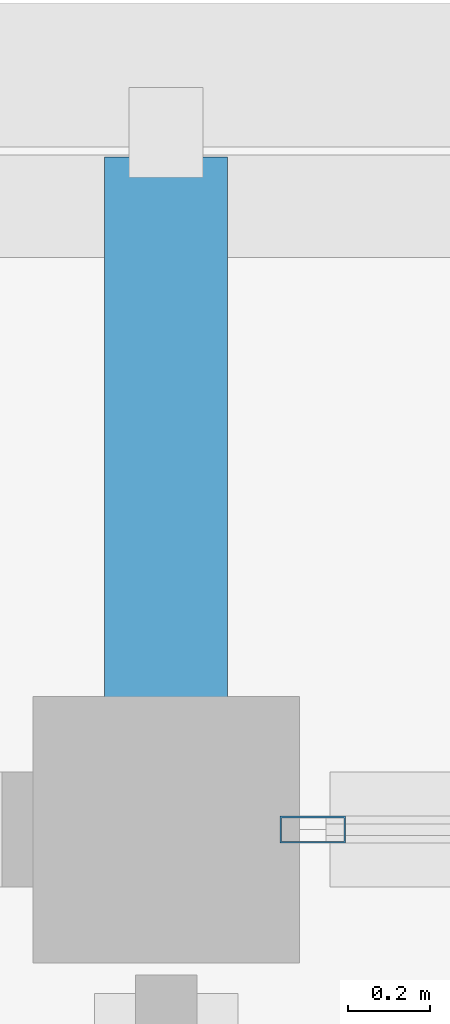
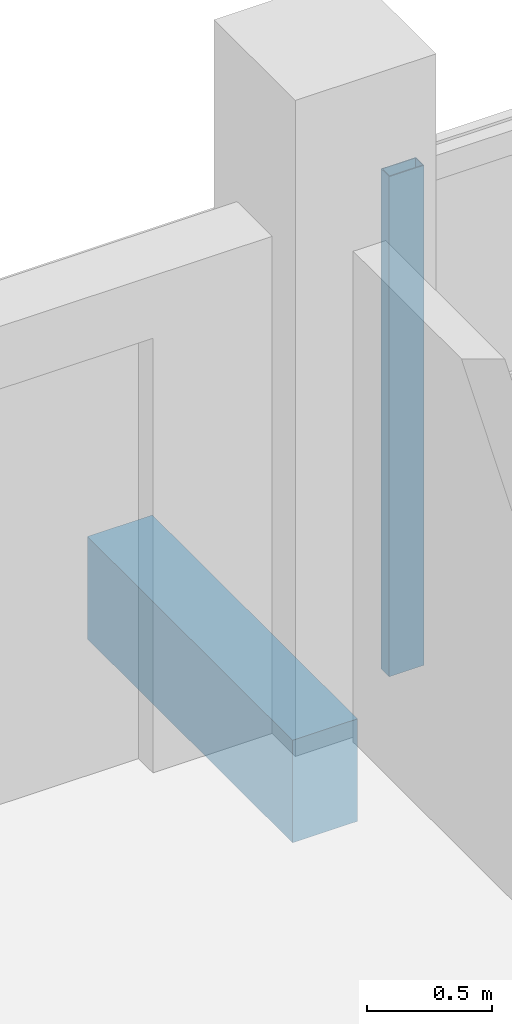
# One storey, part 37 of 157: 1 beam, 1 member, 1 element without a shape of its own.
"""IFC4 building model written with IfcOpenShell, lengths in metres."""

import ifcopenshell
import ifcopenshell.guid

model = None  # the IFC model being written
_history = None  # IfcOwnerHistory: only IFC2X3 demands one
_inside = {}  # id of a spatial element -> (the spatial element, [elements in it])
_under = {}  # id of a project, library or spatial element -> (it, [spatial elements below it])
_declared = {}  # id of a project -> (the project, [libraries it declares])
_typed = {}  # id of a type object -> (the type object, [elements of that type])
_made_of = {}  # id of a material, layer set ... -> (it, [elements and type objects made of it])


def new_model(schema):
    """Start an empty IFC model of exactly this schema.

    Asked for "IFC4X3", IfcOpenShell would pick the latest addendum, in which some entities
    have other attributes; the version numbers below select the first issue.
    IFC2X3 requires an IfcOwnerHistory on every rooted entity: one is made here for all.
    """
    global model, _history
    if schema == "IFC4X3":
        model = ifcopenshell.file(schema_version=(4, 3, 0, 0))
    else:
        model = ifcopenshell.file(schema=schema)
    _inside.clear()
    _under.clear()
    _declared.clear()
    _typed.clear()
    _made_of.clear()
    _history = None
    if model.schema == "IFC2X3":
        org = make("IfcOrganization", Name="unknown")
        user = make(
            "IfcPersonAndOrganization",
            ThePerson=make("IfcPerson", FamilyName="unknown"),
            TheOrganization=org,
        )
        app = make(
            "IfcApplication",
            ApplicationDeveloper=org,
            Version="unknown",
            ApplicationFullName="unknown",
            ApplicationIdentifier="unknown",
        )
        _history = make(
            "IfcOwnerHistory",
            OwningUser=user,
            OwningApplication=app,
            ChangeAction="ADDED",
            CreationDate=0,
        )
    return model


def make(cls, **values):
    """One entity of the class cls with the attributes given. An attribute that is None is left unset."""
    return model.create_entity(
        cls, **{name: value for name, value in values.items() if value is not None}
    )


def rooted(cls, **values):
    """An entity with a GlobalId (a new one), such as an element, a storey or a relation."""
    return make(cls, GlobalId=ifcopenshell.guid.new(), OwnerHistory=_history, **values)


def si_unit(unit_type, name, prefix=None):
    """IfcSIUnit, for example si_unit("LENGTHUNIT", "METRE", prefix="MILLI")."""
    return make("IfcSIUnit", UnitType=unit_type, Prefix=prefix, Name=name)


def assignment(units):
    """IfcUnitAssignment: the units of a project."""
    return None if units is None else make("IfcUnitAssignment", Units=units)


def point(xyz):
    """IfcCartesianPoint."""
    return None if xyz is None else make("IfcCartesianPoint", Coordinates=xyz)


def direction(xyz):
    """IfcDirection."""
    return None if xyz is None else make("IfcDirection", DirectionRatios=xyz)


def frame(location, z_axis=None, x_axis=None):
    """IfcAxis2Placement3D, a coordinate frame: its origin and axes. An axis left out is left unset."""
    return make(
        "IfcAxis2Placement3D",
        Location=point(location),
        Axis=direction(z_axis),
        RefDirection=direction(x_axis),
    )


def frame_2d(location, x_axis=None):
    """IfcAxis2Placement2D, a coordinate frame in the plane: its origin and x axis."""
    return make(
        "IfcAxis2Placement2D", Location=point(location), RefDirection=direction(x_axis)
    )


def origin():
    """The frame at (0, 0, 0) with its axes left unset."""
    return frame((0.0, 0.0, 0.0))


def origin_2d():
    """The frame at (0, 0) in the plane with its x axis left unset."""
    return frame_2d((0.0, 0.0))


def place(relative_to, where):
    """IfcLocalPlacement: puts the frame where relative to a parent placement (None: the world)."""
    return make(
        "IfcLocalPlacement", PlacementRelTo=relative_to, RelativePlacement=where
    )


def context(
    kind, dimensions, precision=None, world=None, true_north=None, identifier=None
):
    """IfcGeometricRepresentationContext, for example the 3D "Model" context."""
    return make(
        "IfcGeometricRepresentationContext",
        ContextIdentifier=identifier,
        ContextType=kind,
        CoordinateSpaceDimension=dimensions,
        Precision=precision,
        WorldCoordinateSystem=world,
        TrueNorth=true_north,
    )


def subcontext(parent, identifier, kind, view, scale=None):
    """IfcGeometricRepresentationSubContext, for example "Body" below "Model"."""
    return make(
        "IfcGeometricRepresentationSubContext",
        ContextIdentifier=identifier,
        ContextType=kind,
        ParentContext=parent,
        TargetScale=scale,
        TargetView=view,
    )


def project(units=None, contexts=None):
    """IfcProject with its units and contexts."""
    return rooted(
        "IfcProject",
        Name="project",
        RepresentationContexts=contexts,
        UnitsInContext=assignment(units),
    )


def spatial(cls, under=None, at=None, **own):
    """A site, building, storey or space (cls), placed at a placement, below another one or the project."""
    s = rooted(cls, ObjectPlacement=at, **own)
    if under is not None:
        _under.setdefault(under.id(), (under, []))[1].append(s)
    return s


def profile(cls, at=None, kind="AREA", **sizes):
    """A parametric profile (cls). Its sizes go by their IFC names, for example OverallWidth=200.0."""
    return make(cls, ProfileType=kind, Position=at, **sizes)


def rectangle(**sizes):
    """IfcRectangleProfileDef."""
    return profile("IfcRectangleProfileDef", **sizes)


def hollow_rectangle(**sizes):
    """IfcRectangleHollowProfileDef."""
    return profile("IfcRectangleHollowProfileDef", **sizes)


def extrude(swept, where, along, depth):
    """IfcExtrudedAreaSolid: the profile swept, set in the frame where, extruded along a direction by depth."""
    return make(
        "IfcExtrudedAreaSolid",
        SweptArea=swept,
        Position=where,
        ExtrudedDirection=direction(along),
        Depth=depth,
    )


def shape(context_of_items, identifier, shape_type, items):
    """IfcShapeRepresentation: the items that make up one representation, for example the "Body"."""
    return make(
        "IfcShapeRepresentation",
        ContextOfItems=context_of_items,
        RepresentationIdentifier=identifier,
        RepresentationType=shape_type,
        Items=items,
    )


def material(Name=None, Category=None):
    """IfcMaterial."""
    return make("IfcMaterial", Name=Name, Category=Category)


def material_profile(
    of_material, cross_section, Name=None, Category=None, Priority=None
):
    """IfcMaterialProfile: a cross section and its material."""
    return make(
        "IfcMaterialProfile",
        Name=Name,
        Material=of_material,
        Profile=cross_section,
        Priority=Priority,
        Category=Category,
    )


def profile_set(profiles, Name=None, composite=None):
    """IfcMaterialProfileSet."""
    return make(
        "IfcMaterialProfileSet",
        Name=Name,
        MaterialProfiles=profiles,
        CompositeProfile=composite,
    )


def made_of(thing, what):
    """Note that an element or type object is made of a material, layer set ...; save() writes the relation."""
    if what is not None:
        _made_of.setdefault(what.id(), (what, []))[1].append(thing)
    return thing


def type_object(cls, material=None, **own):
    """A type object (cls), such as IfcWallType, which elements share."""
    return made_of(rooted(cls, **own), material)


def element(
    cls,
    number,
    at=None,
    inside=None,
    cuts=None,
    type_object=None,
    material=None,
    context=None,
    identifier="Body",
    shape_type=None,
    held_by="IfcProductDefinitionShape",
    body=None,
    shapes=None,
    **own,
):
    """One element of the class cls, such as IfcWall. Its Tag is "e" and its number.

    at: its placement. inside: the storey or other place that contains it. cuts: it is an
    opening in that element (IfcRelVoidsElement). A single representation is given by context,
    identifier, shape_type and body (its items); several are given by shapes. held_by: the class
    of the entity that holds the representations. save() writes the other relations.
    """
    e = rooted(cls, Tag="e%d" % number, ObjectPlacement=at, **own)
    if body is not None:
        shapes = [shape(context, identifier, shape_type, body)]
    if shapes is not None:
        e.Representation = make(held_by, Representations=shapes)
    if inside is not None:
        _inside.setdefault(inside.id(), (inside, []))[1].append(e)
    if cuts is not None:
        rooted(
            "IfcRelVoidsElement", RelatingBuildingElement=cuts, RelatedOpeningElement=e
        )
    if type_object is not None:
        _typed.setdefault(type_object.id(), (type_object, []))[1].append(e)
    return made_of(e, material)


def aggregate(whole, parts):
    """IfcRelAggregates: a whole, such as a stair, and the parts it consists of."""
    return rooted("IfcRelAggregates", RelatingObject=whole, RelatedObjects=parts)


def save(model, path):
    """Write the relations noted so far, then the file.

    IfcRelAggregates (storeys below a building ...), IfcRelContainedInSpatialStructure (elements
    in a storey), IfcRelDefinesByType, IfcRelAssociatesMaterial and IfcRelDeclares: one each for
    every whole, place, type object, material and project.
    """
    for whole, parts in _under.values():
        aggregate(whole, parts)
    for where, things in _inside.values():
        rooted(
            "IfcRelContainedInSpatialStructure",
            RelatedElements=things,
            RelatingStructure=where,
        )
    for kind, things in _typed.values():
        rooted("IfcRelDefinesByType", RelatedObjects=things, RelatingType=kind)
    for what, things in _made_of.values():
        rooted("IfcRelAssociatesMaterial", RelatedObjects=things, RelatingMaterial=what)
    for by, libraries in _declared.values():
        rooted("IfcRelDeclares", RelatingContext=by, RelatedDefinitions=libraries)
    model.write(path)


model = new_model("IFC4")

# Units and contexts
model_context = context("Model", 3, precision=1e-05, world=origin(), true_north=direction((0.0, 1.0)))
body_context = subcontext(model_context, "Body", "Model", "MODEL_VIEW")
ifc_project = project(units=[si_unit("LENGTHUNIT", "METRE"), si_unit("AREAUNIT", "SQUARE_METRE"), si_unit("VOLUMEUNIT", "CUBIC_METRE"), si_unit("PLANEANGLEUNIT", "RADIAN"), si_unit("MASSUNIT", "GRAM", prefix="KILO")], contexts=[model_context])

# Site, building, storey
site_placement = place(None, origin())
site = spatial("IfcSite", under=ifc_project, at=site_placement, CompositionType="ELEMENT")
building_placement = place(site_placement, origin())
building = spatial("IfcBuilding", under=site, at=building_placement, Name="Suanplinth Sawtooth Commons", CompositionType="ELEMENT")
storey_placement = place(building_placement, frame((0.0, 0.0, 9.0)))
storey = spatial("IfcBuildingStorey", under=building, at=storey_placement, Name="L02", CompositionType="ELEMENT", Elevation=9.0)

# Beam
ifc_material_1 = material(Name="Precast concrete C40/50", Category="concrete")
ifc_material_profile_1 = material_profile(ifc_material_1, rectangle(XDim=0.300048828125, YDim=0.5, at=origin_2d()), Name="PC-BM 300x500")
ifc_profile_set_1 = profile_set([ifc_material_profile_1], Name="Precast concrete C40/50")
beam_type = type_object("IfcBeamType", Name="B-07", PredefinedType="BEAM", material=ifc_profile_set_1)
beam_placement = place(storey_placement, frame((57.60009765625, 122.39990234375, -0.429931640625), z_axis=(0.0, 1.0, 0.0), x_axis=(-1.0, 0.0, 0.0)))
element("IfcBeam", 1, at=beam_placement, inside=storey, type_object=beam_type, Name="Balcony Outrigger L02-A-N-8", PredefinedType="BEAM", context=body_context, shape_type="SweptSolid", body=[
    extrude(rectangle(XDim=0.300048828125, YDim=0.5, at=origin_2d()), origin(), (0.0, 0.0, 1.0), 1.64013671875),
])

# Curtain wall, member
ifc_material_2 = material(Name="Anodized aluminium and low-E glazing", Category="aluminium")
curtain_wall_type = type_object("IfcCurtainWallType", Name="CW-06", PredefinedType="USERDEFINED", material=ifc_material_2)
curtain_wall_placement = place(storey_placement, origin())
curtain_wall = element("IfcCurtainWall", 2, at=curtain_wall_placement, inside=storey, type_object=curtain_wall_type, Name="Curtain Wall CW-L02-A-LOUNGE-8", ObjectType="CURTAIN WALL", PredefinedType="USERDEFINED")
ifc_material_3 = material(Name="Anodized aluminium 6063-T6", Category="aluminium")
ifc_material_profile_2 = material_profile(ifc_material_3, hollow_rectangle(XDim=0.06494140625, YDim=0.159912109375, WallThickness=0.00390625, at=origin_2d()), Name="ALU-MUL 65x160")
ifc_profile_set_2 = profile_set([ifc_material_profile_2], Name="Anodized aluminium 6063-T6")
member_type = type_object("IfcMemberType", Name="M-13", PredefinedType="MULLION", material=ifc_profile_set_2)
member_placement = place(storey_placement, frame((57.95751953125, 122.39990234375, 0.0), z_axis=(0.0, 0.0, 1.0), x_axis=(0.0, 1.0, 0.0)))
member = element("IfcMember", 3, at=member_placement, type_object=member_type, Name="CW-06 mullion 1", PredefinedType="MULLION", context=body_context, shape_type="SweptSolid", body=[
    extrude(hollow_rectangle(XDim=0.06494140625, YDim=0.159912109375, WallThickness=0.00390625, at=origin_2d()), origin(), (0.0, 0.0, 1.0), 2.43994140625),
])
aggregate(curtain_wall, [member])

save(model, "model.ifc")
